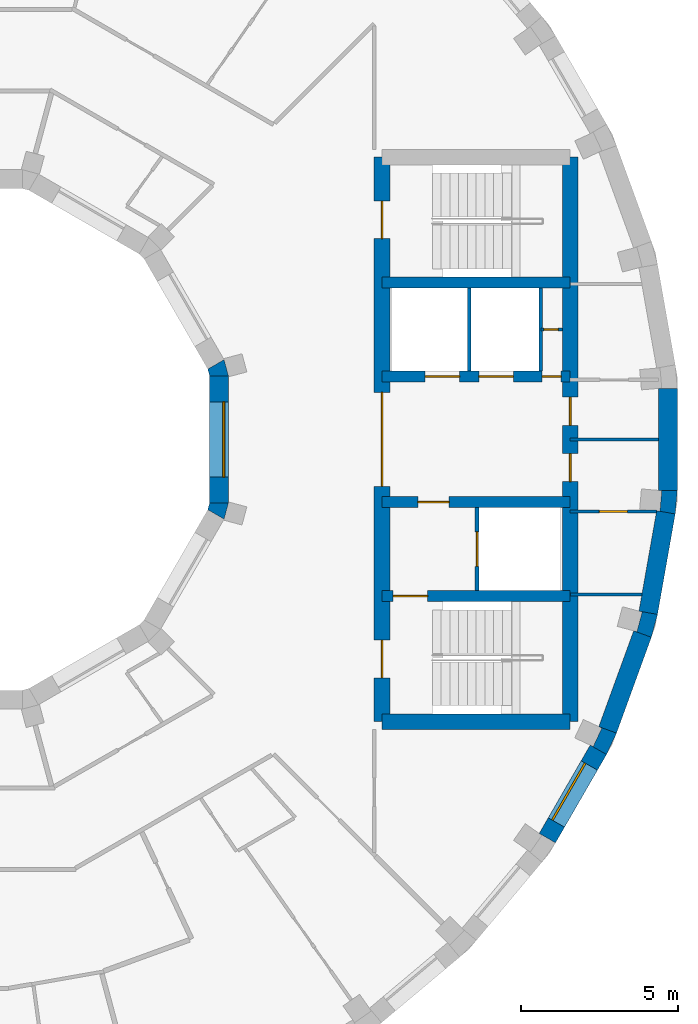
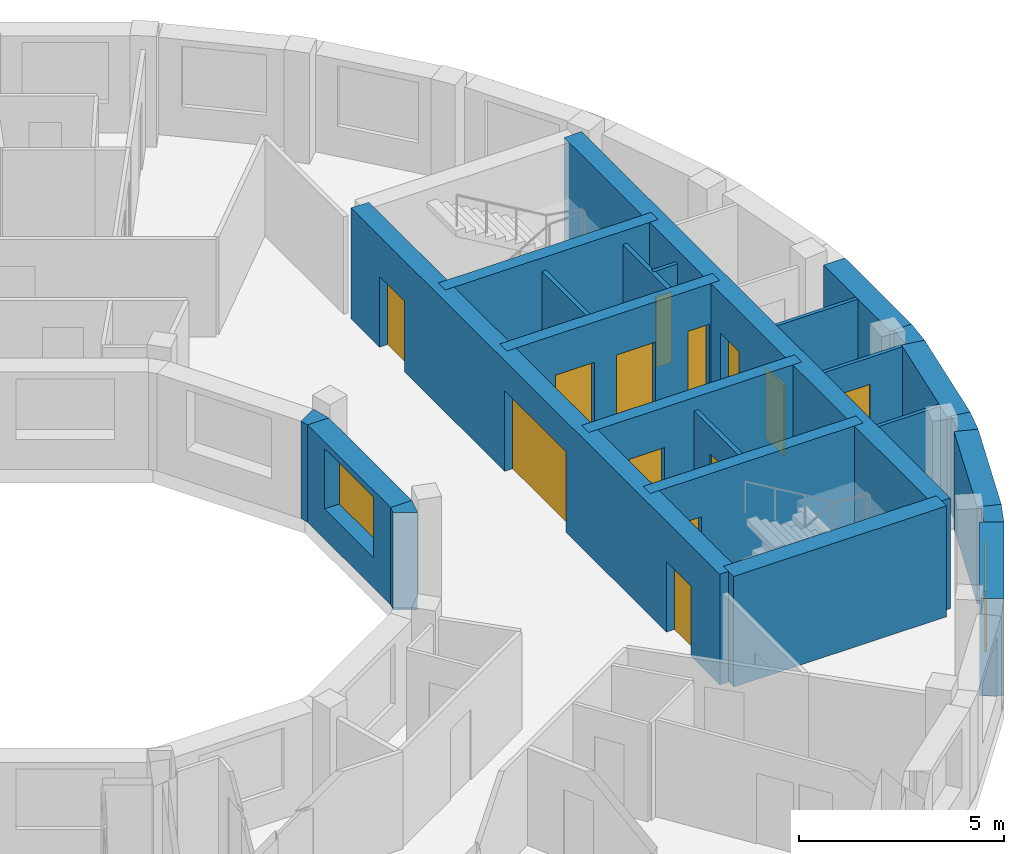
# One storey, part 6 of 10: 24 walls, 13 doors, 2 windows, 15 openings.
"""IFC4 building model written with IfcOpenShell, lengths in metres."""

from ifc_helpers import new_model, si_unit, direction, frame, frame_2d, origin, place, context, subcontext, project, spatial, polyline, rectangle, outline, extrude, material, layer, layer_set, type_object, element, fill, save


model = new_model("IFC4")

# Units and contexts
model_context = context("Model", 3, precision=1e-05, world=origin(), true_north=direction((0.0, 1.0)))
body_context = subcontext(model_context, "Body", "Model", "MODEL_VIEW")
ifc_project = project(units=[si_unit("LENGTHUNIT", "METRE"), si_unit("AREAUNIT", "SQUARE_METRE"), si_unit("VOLUMEUNIT", "CUBIC_METRE"), si_unit("PLANEANGLEUNIT", "RADIAN"), si_unit("MASSUNIT", "GRAM", prefix="KILO")], contexts=[model_context])

# Site, building, storey
site_placement = place(None, origin())
site = spatial("IfcSite", under=ifc_project, at=site_placement, CompositionType="ELEMENT")
building_placement = place(site_placement, origin())
building = spatial("IfcBuilding", under=site, at=building_placement, Name="Saqina Gate Tower", CompositionType="ELEMENT")
storey_placement = place(building_placement, frame((0.0, 0.0, 252.800048828125)))
storey = spatial("IfcBuildingStorey", under=building, at=storey_placement, Name="L72", CompositionType="ELEMENT", Elevation=252.800048828125)

# Walls
ifc_material_1 = material(Name="Brick masonry (buff)", Category="masonry")
wall_type_1 = type_object("IfcWallType", Name="BRICK PIER COPING BUFF", PredefinedType="SOLIDWALL", material=ifc_material_1)
wall_1_placement = place(storey_placement, origin())
element("IfcWall", 1, at=wall_1_placement, inside=storey, type_object=wall_type_1, Name="Pier cap L72 column 34", PredefinedType="SOLIDWALL", context=body_context, shape_type="SweptSolid", body=[
    extrude(outline(polyline([(20.65576171875, -10.048095703125), (20.974609375, -9.3642578125), (20.410888671875, -9.1591796875), (20.506591796875, -9.203857421875), (20.23193359375, -9.79296875), (20.135986328125, -9.748291015625), (20.65576171875, -10.048095703125)])), origin(), (0.0, 0.0, 1.0), 2.89990234375),
])
wall_2_placement = place(storey_placement, origin())
element("IfcWall", 2, at=wall_2_placement, inside=storey, type_object=wall_type_1, Name="Pier cap L72 column 35", PredefinedType="SOLIDWALL", context=body_context, shape_type="SweptSolid", body=[
    extrude(outline(polyline([(22.281982421875, -5.579833984375), (21.691162109375, -5.4755859375), (21.793212890625, -5.5029296875), (21.625, -6.130859375), (21.52294921875, -6.103515625), (22.0869140625, -6.30859375), (22.281982421875, -5.579833984375)])), origin(), (0.0, 0.0, 1.0), 2.89990234375),
])
wall_3_placement = place(storey_placement, origin())
element("IfcWall", 3, at=wall_3_placement, inside=storey, type_object=wall_type_1, Name="Pier cap L72 column 36", PredefinedType="SOLIDWALL", context=body_context, shape_type="SweptSolid", body=[
    extrude(outline(polyline([(22.8466796875, -2.377685546875), (22.91259765625, -1.625732421875), (22.3125, -1.625732421875), (22.417724609375, -1.635009765625), (22.361083984375, -2.28271484375), (22.255859375, -2.2734375), (22.8466796875, -2.377685546875)])), origin(), (0.0, 0.0, 1.0), 2.89990234375),
])

# Wall, opening, door
ifc_material_2 = material(Name="Gypsum board on steel studs", Category="steel")
ifc_layer_1 = layer(ifc_material_2, 0.10009765625)
ifc_layer_set_1 = layer_set([ifc_layer_1], Name="CORE PARTITION")
wall_type_2 = type_object("IfcWallType", Name="CORE PARTITION", PredefinedType="PARTITIONING", material=ifc_layer_set_1)
wall_4_placement = place(storey_placement, frame((18.56005859375, 3.5, 0.0), z_axis=(0.0, 0.0, 1.0), x_axis=(1.0, 0.0, 0.0)))
wall_4 = element("IfcWall", 4, at=wall_4_placement, inside=storey, type_object=wall_type_2, Name="L72-CP-E01", PredefinedType="PARTITIONING", context=body_context, shape_type="SweptSolid", body=[
    extrude(rectangle(XDim=0.68994140625, YDim=0.10009765625, at=frame_2d((0.344970703125, 0.0))), origin(), (0.0, 0.0, 1.0), 2.89990234375),
])
opening_1_placement = place(wall_4_placement, frame((0.10009765625, 0.0, 0.0)))
opening_1 = element("IfcOpeningElement", 5, at=opening_1_placement, cuts=wall_4, Name="Opening G21-D96", PredefinedType="OPENING", context=body_context, shape_type="SweptSolid", body=[
    extrude(rectangle(XDim=0.449951171875, YDim=2.10009765625, at=frame_2d((0.22509765625, 1.050048828125))), frame((0.0, 0.06201171875, 0.0), z_axis=(0.0, -1.0, 0.0), x_axis=(1.0, 0.0, 0.0)), (0.0, 0.0, 1.0), 0.1240234375),
])
ifc_material_3 = material(Name="Steel-framed fire door leaf, EI 60", Category="steel")
door_type_1 = type_object("IfcDoorType", Name="SERVICE ROOM DOOR 450", OperationType="SINGLE_SWING_LEFT", PredefinedType="DOOR", material=ifc_material_3)
door_1_placement = place(opening_1_placement, origin())
door_1 = element("IfcDoor", 6, at=door_1_placement, inside=storey, type_object=door_type_1, Name="L72-CD-E07", OperationType="SINGLE_SWING_RIGHT", OverallHeight=2.10009765625, OverallWidth=0.449951171875, PredefinedType="DOOR", context=body_context, shape_type="SweptSolid", body=[
    extrude(rectangle(XDim=0.449951171875, YDim=2.10009765625, at=frame_2d((0.22509765625, 1.050048828125))), frame((0.0, 0.02490234375, 0.0), z_axis=(0.0, -1.0, 0.0), x_axis=(1.0, 0.0, 0.0)), (0.0, 0.0, 1.0), 0.050048828125),
])
fill(opening_1, door_1)

# Wall
wall_5_placement = place(storey_placement, frame((19.5, -4.949951171875, 0.0), z_axis=(0.0, 0.0, 1.0), x_axis=(1.0, 0.0, 0.0)))
element("IfcWall", 7, at=wall_5_placement, inside=storey, type_object=wall_type_2, Name="L72-CP-E04", PredefinedType="PARTITIONING", context=body_context, shape_type="SweptSolid", body=[
    extrude(rectangle(XDim=2.283935546875, YDim=0.10009765625, at=frame_2d((1.14208984375, 0.0))), origin(), (0.0, 0.0, 1.0), 2.89990234375),
])

# Wall, opening, door
wall_6_placement = place(storey_placement, frame((19.5, -2.300048828125, 0.0), z_axis=(0.0, 0.0, 1.0), x_axis=(1.0, 0.0, 0.0)))
wall_6 = element("IfcWall", 8, at=wall_6_placement, inside=storey, type_object=wall_type_2, Name="L72-CP-E05", PredefinedType="PARTITIONING", context=body_context, shape_type="SweptSolid", body=[
    extrude(rectangle(XDim=2.751220703125, YDim=0.10009765625, at=frame_2d((1.37548828125, 0.0))), origin(), (0.0, 0.0, 1.0), 2.89990234375),
])
opening_2_placement = place(wall_6_placement, frame((0.925537109375, 0.0, 0.0)))
opening_2 = element("IfcOpeningElement", 9, at=opening_2_placement, cuts=wall_6, Name="Opening G21-D94", PredefinedType="OPENING", context=body_context, shape_type="SweptSolid", body=[
    extrude(rectangle(XDim=0.89990234375, YDim=2.10009765625, at=frame_2d((0.449951171875, 1.050048828125))), frame((0.0, 0.06201171875, 0.0), z_axis=(0.0, -1.0, 0.0), x_axis=(1.0, 0.0, 0.0)), (0.0, 0.0, 1.0), 0.1240234375),
])
ifc_material_4 = material(Name="Steel-framed fire door leaf, EI 60", Category="steel")
door_type_2 = type_object("IfcDoorType", Name="SERVICE ROOM DOOR 900", OperationType="SINGLE_SWING_LEFT", PredefinedType="DOOR", material=ifc_material_4)
door_2_placement = place(opening_2_placement, frame((0.89990234375, 0.0, 0.0), z_axis=(0.0, 0.0, 1.0), x_axis=(-1.0, 0.0, 0.0)))
door_2 = element("IfcDoor", 10, at=door_2_placement, inside=storey, type_object=door_type_2, Name="L72-CD-E05", OperationType="SINGLE_SWING_RIGHT", OverallHeight=2.10009765625, OverallWidth=0.89990234375, PredefinedType="DOOR", context=body_context, shape_type="SweptSolid", body=[
    extrude(rectangle(XDim=0.89990234375, YDim=2.10009765625, at=frame_2d((0.449951171875, 1.050048828125))), frame((0.0, 0.02490234375, 0.0), z_axis=(0.0, -1.0, 0.0), x_axis=(1.0, 0.0, 0.0)), (0.0, 0.0, 1.0), 0.050048828125),
])
fill(opening_2, door_2)

# Wall
wall_7_placement = place(storey_placement, frame((19.5, 0.0, 0.0), z_axis=(0.0, 0.0, 1.0), x_axis=(1.0, 0.0, 0.0)))
element("IfcWall", 11, at=wall_7_placement, inside=storey, type_object=wall_type_2, Name="L72-CP-E06", PredefinedType="PARTITIONING", context=body_context, shape_type="SweptSolid", body=[
    extrude(rectangle(XDim=2.8125, YDim=0.10009765625, at=frame_2d((1.40625, 0.0))), origin(), (0.0, 0.0, 1.0), 2.89990234375),
])

# Wall, opening, window
ifc_material_5 = material(Name="Brick masonry (buff)", Category="masonry")
ifc_layer_2 = layer(ifc_material_5, 0.60009765625)
ifc_layer_set_2 = layer_set([ifc_layer_2], Name="FW-BRICK-BUFF")
wall_type_3 = type_object("IfcWallType", Name="FW-BRICK-BUFF", PredefinedType="SOLIDWALL", material=ifc_layer_set_2)
wall_8_placement = place(storey_placement, frame((18.77001953125, -12.71435546875, 0.0), z_axis=(0.0, 0.0, 1.0), x_axis=(0.500014901547, 0.866016800201, 0.0)))
wall_8 = element("IfcWall", 12, at=wall_8_placement, inside=storey, type_object=wall_type_3, Name="Facade wall L72 facet 33", PredefinedType="SOLIDWALL", context=body_context, shape_type="SweptSolid", body=[
    extrude(rectangle(XDim=3.251953125, YDim=0.60009765625, at=frame_2d((1.6259765625, 0.0))), origin(), (0.0, 0.0, 1.0), 2.89990234375),
])
opening_3_placement = place(wall_8_placement, frame((0.57568359375, 0.0, 0.89990234375)))
opening_3 = element("IfcOpeningElement", 13, at=opening_3_placement, cuts=wall_8, Name="Opening G21-W24", PredefinedType="OPENING", context=body_context, shape_type="SweptSolid", body=[
    extrude(rectangle(XDim=2.10009765625, YDim=1.800048828125, at=frame_2d((1.050048828125, 0.89990234375))), frame((0.0, 0.31201171875, 0.0), z_axis=(0.0, -1.0, 0.0), x_axis=(1.0, 0.0, 0.0)), (0.0, 0.0, 1.0), 0.6240234375),
])
ifc_material_6 = material(Name="Aluminium glazing", Category="aluminium")
window_type_1 = type_object("IfcWindowType", Name="WN-D", PartitioningType="SINGLE_PANEL", PredefinedType="WINDOW", material=ifc_material_6)
window_1_placement = place(opening_3_placement, origin())
window_1 = element("IfcWindow", 14, at=window_1_placement, inside=storey, type_object=window_type_1, Name="Window L72 facet 33", OverallHeight=1.800048828125, OverallWidth=2.10009765625, PartitioningType="SINGLE_PANEL", PredefinedType="WINDOW", context=body_context, shape_type="SweptSolid", body=[
    extrude(rectangle(XDim=2.10009765625, YDim=1.800048828125, at=frame_2d((1.050048828125, 0.89990234375))), frame((0.0, 0.179931640625, 0.0), z_axis=(0.0, -1.0, 0.0), x_axis=(1.0, 0.0, 0.0)), (0.0, 0.0, 1.0), 0.06005859375),
])
fill(opening_3, window_1)

# Walls
ifc_material_7 = material(Name="Glazed ceramic tile", Category="ceramic")
ifc_layer_3 = layer(ifc_material_7, 0.60009765625)
ifc_layer_set_3 = layer_set([ifc_layer_3], Name="FW-TILE")
wall_type_4 = type_object("IfcWallType", Name="FW-TILE", PredefinedType="SOLIDWALL", material=ifc_layer_set_3)
wall_9_placement = place(storey_placement, frame((21.986572265625, -5.52783203125, 0.0), z_axis=(0.0, 0.0, 1.0), x_axis=(0.173656842178, 0.984806225186, 0.0)))
element("IfcWall", 15, at=wall_9_placement, inside=storey, type_object=wall_type_4, Name="Facade wall L72 facet 35", PredefinedType="SOLIDWALL", context=body_context, shape_type="SweptSolid", body=[
    extrude(rectangle(XDim=3.251708984375, YDim=0.60009765625, at=frame_2d((1.6259765625, 0.0))), origin(), (0.0, 0.0, 1.0), 2.89990234375),
])
ifc_material_8 = material(Name="Glazed ceramic tile (dark blue)", Category="ceramic")
ifc_layer_4 = layer(ifc_material_8, 0.60009765625)
ifc_layer_set_4 = layer_set([ifc_layer_4], Name="FW-TILE-CB")
wall_type_5 = type_object("IfcWallType", Name="FW-TILE-CB", PredefinedType="SOLIDWALL", material=ifc_layer_set_4)
wall_10_placement = place(storey_placement, frame((20.692626953125, -9.26171875, 0.0), z_axis=(0.0, 0.0, 1.0), x_axis=(0.342056509473, 0.939679383794, 0.0)))
element("IfcWall", 16, at=wall_10_placement, inside=storey, type_object=wall_type_5, Name="Facade wall L72 facet 34", PredefinedType="SOLIDWALL", context=body_context, shape_type="SweptSolid", body=[
    extrude(rectangle(XDim=3.251708984375, YDim=0.60009765625, at=frame_2d((1.6259765625, 0.0))), origin(), (0.0, 0.0, 1.0), 2.89990234375),
])
ifc_material_9 = material(Name="Glazed ceramic tile (white)", Category="ceramic")
ifc_layer_5 = layer(ifc_material_9, 0.60009765625)
ifc_layer_set_5 = layer_set([ifc_layer_5], Name="FW-TILE-WH")
wall_type_6 = type_object("IfcWallType", Name="FW-TILE-WH", PredefinedType="SOLIDWALL", material=ifc_layer_set_5)
wall_11_placement = place(storey_placement, frame((22.612548828125, -1.625732421875, 0.0), z_axis=(0.0, 0.0, 1.0), x_axis=(0.0, 1.0, 0.0)))
element("IfcWall", 17, at=wall_11_placement, inside=storey, type_object=wall_type_6, Name="Facade wall L72 facet 36", PredefinedType="SOLIDWALL", context=body_context, shape_type="SweptSolid", body=[
    extrude(rectangle(XDim=3.25146484375, YDim=0.60009765625, at=frame_2d((1.625732421875, 0.0))), origin(), (0.0, 0.0, 1.0), 2.89990234375),
])

# Wall, opening, window
ifc_material_10 = material(Name="Glazed ceramic tile", Category="ceramic")
ifc_layer_6 = layer(ifc_material_10, 0.60009765625)
ifc_layer_set_6 = layer_set([ifc_layer_6], Name="IW-TILE")
wall_type_7 = type_object("IfcWallType", Name="IW-TILE", PredefinedType="SOLIDWALL", material=ifc_layer_set_6)
wall_12_placement = place(storey_placement, frame((8.300048828125, -2.029296875, 0.0), z_axis=(0.0, 0.0, 1.0), x_axis=(0.0, 1.0, 0.0)))
wall_12 = element("IfcWall", 18, at=wall_12_placement, inside=storey, type_object=wall_type_7, Name="Well wall L72 facet 12", PredefinedType="SOLIDWALL", context=body_context, shape_type="SweptSolid", body=[
    extrude(rectangle(XDim=4.05859375, YDim=0.60009765625, at=frame_2d((2.029296875, 0.0))), origin(), (0.0, 0.0, 1.0), 2.89990234375),
])
opening_4_placement = place(wall_12_placement, frame((0.829345703125, 0.0, 0.89990234375)))
opening_4 = element("IfcOpeningElement", 19, at=opening_4_placement, cuts=wall_12, Name="Opening G21-W36", PredefinedType="OPENING", context=body_context, shape_type="SweptSolid", body=[
    extrude(rectangle(XDim=2.39990234375, YDim=1.800048828125, at=frame_2d((1.199951171875, 0.89990234375))), frame((0.0, 0.31201171875, 0.0), z_axis=(0.0, -1.0, 0.0), x_axis=(1.0, 0.0, 0.0)), (0.0, 0.0, 1.0), 0.6240234375),
])
ifc_material_11 = material(Name="Aluminium glazing", Category="aluminium")
window_type_2 = type_object("IfcWindowType", Name="WN-W", PartitioningType="SINGLE_PANEL", PredefinedType="WINDOW", material=ifc_material_11)
window_2_placement = place(opening_4_placement, origin())
window_2 = element("IfcWindow", 20, at=window_2_placement, inside=storey, type_object=window_type_2, Name="Well window L72 facet 12", OverallHeight=1.800048828125, OverallWidth=2.39990234375, PartitioningType="SINGLE_PANEL", PredefinedType="WINDOW", context=body_context, shape_type="SweptSolid", body=[
    extrude(rectangle(XDim=2.39990234375, YDim=1.800048828125, at=frame_2d((1.199951171875, 0.89990234375))), frame((0.0, -0.119873046875, 0.0), z_axis=(0.0, -1.0, 0.0), x_axis=(1.0, 0.0, 0.0)), (0.0, 0.0, 1.0), 0.06005859375),
])
fill(opening_4, window_2)

# Walls
ifc_material_12 = material(Name="Autoclaved aerated concrete block", Category="concrete")
ifc_layer_7 = layer(ifc_material_12, 0.1201171875)
ifc_layer_set_7 = layer_set([ifc_layer_7], Name="SHAFT PARTITION")
wall_type_8 = type_object("IfcWallType", Name="SHAFT PARTITION", PredefinedType="PARTITIONING", material=ifc_layer_set_7)
for number, where, z_axis, x_axis, name in (
    (21, (16.280029296875, 2.175048828125, 0.0), (0.0, 0.0, 1.0), (0.0, 1.0, 0.0), "L72-CP-E07"),
    (22, (18.56005859375, 2.175048828125, 0.0), (0.0, 0.0, 1.0), (0.0, 1.0, 0.0), "L72-CP-E08"),
):
    element("IfcWall", number, at=place(storey_placement, frame(where, z_axis=z_axis, x_axis=x_axis)), inside=storey, type_object=wall_type_8, Name=name, PredefinedType="PARTITIONING", context=body_context, shape_type="SweptSolid", body=[
        extrude(rectangle(XDim=2.64990234375, YDim=0.1201171875, at=frame_2d((1.324951171875, 0.0))), origin(), (0.0, 0.0, 1.0), 2.89990234375),
    ])

# Wall, opening, door
wall_13_placement = place(storey_placement, frame((16.530029296875, -4.824951171875, 0.0), z_axis=(0.0, 0.0, 1.0), x_axis=(0.0, 1.0, 0.0)))
wall_13 = element("IfcWall", 23, at=wall_13_placement, inside=storey, type_object=wall_type_8, Name="L72-CP-E09", PredefinedType="PARTITIONING", context=body_context, shape_type="SweptSolid", body=[
    extrude(rectangle(XDim=2.64990234375, YDim=0.1201171875, at=frame_2d((1.324951171875, 0.0))), origin(), (0.0, 0.0, 1.0), 2.89990234375),
])
opening_5_placement = place(wall_13_placement, frame((0.77490234375, 0.0, 0.0)))
opening_5 = element("IfcOpeningElement", 24, at=opening_5_placement, cuts=wall_13, Name="Opening G21-LD3", PredefinedType="OPENING", context=body_context, shape_type="SweptSolid", body=[
    extrude(rectangle(XDim=1.10009765625, YDim=2.10009765625, at=frame_2d((0.550048828125, 1.050048828125))), frame((0.0, 0.072021484375, 0.0), z_axis=(0.0, -1.0, 0.0), x_axis=(1.0, 0.0, 0.0)), (0.0, 0.0, 1.0), 0.14404296875),
])
ifc_material_13 = material(Name="Stainless steel", Category="steel")
door_type_3 = type_object("IfcDoorType", Name="LANDING DOOR", OperationType="DOUBLE_DOOR_SLIDING", PredefinedType="DOOR", material=ifc_material_13)
door_3_placement = place(opening_5_placement, origin())
door_3 = element("IfcDoor", 25, at=door_3_placement, inside=storey, type_object=door_type_3, Name="LANDING DOOR FF1", OperationType="DOUBLE_DOOR_SLIDING", OverallHeight=2.10009765625, OverallWidth=1.10009765625, PredefinedType="DOOR", context=body_context, shape_type="SweptSolid", body=[
    extrude(rectangle(XDim=1.10009765625, YDim=2.10009765625, at=frame_2d((0.550048828125, 1.050048828125))), frame((0.0, 0.02490234375, 0.0), z_axis=(0.0, -1.0, 0.0), x_axis=(1.0, 0.0, 0.0)), (0.0, 0.0, 1.0), 0.050048828125),
])
fill(opening_5, door_3)

# Wall
ifc_material_14 = material(Name="Concrete C60/75", Category="concrete")
ifc_layer_8 = layer(ifc_material_14, 0.35009765625)
ifc_layer_set_8 = layer_set([ifc_layer_8], Name="Concrete C60/75")
wall_type_9 = type_object("IfcWallType", Name="STR-CORE WALL-D-I", PredefinedType="SHEAR", material=ifc_layer_set_8)
wall_14_placement = place(storey_placement, frame((13.5, 5.0, 0.0), z_axis=(0.0, 0.0, 1.0), x_axis=(1.0, 0.0, 0.0)))
element("IfcWall", 26, at=wall_14_placement, inside=storey, type_object=wall_type_9, Name="CORE WALL L72 E-X1", PredefinedType="SHEAR", context=body_context, shape_type="SweptSolid", body=[
    extrude(rectangle(XDim=6.0, YDim=0.35009765625, at=frame_2d((3.0, 0.0))), origin(), (0.0, 0.0, 1.0), 3.300048828125),
])

# Wall, opening, door
wall_15_placement = place(storey_placement, frame((13.5, -5.0, 0.0), z_axis=(0.0, 0.0, 1.0), x_axis=(1.0, 0.0, 0.0)))
wall_15 = element("IfcWall", 27, at=wall_15_placement, inside=storey, type_object=wall_type_9, Name="CORE WALL L72 E-X2", PredefinedType="SHEAR", context=body_context, shape_type="SweptSolid", body=[
    extrude(rectangle(XDim=6.0, YDim=0.35009765625, at=frame_2d((3.0, 0.0))), origin(), (0.0, 0.0, 1.0), 3.300048828125),
])
opening_6_placement = place(wall_15_placement, frame((0.35009765625, 0.0, 0.0)))
opening_6 = element("IfcOpeningElement", 28, at=opening_6_placement, cuts=wall_15, Name="Opening G21-D97", PredefinedType="OPENING", context=body_context, shape_type="SweptSolid", body=[
    extrude(rectangle(XDim=1.10009765625, YDim=2.10009765625, at=frame_2d((0.550048828125, 1.050048828125))), frame((0.0, 0.18701171875, 0.0), z_axis=(0.0, -1.0, 0.0), x_axis=(1.0, 0.0, 0.0)), (0.0, 0.0, 1.0), 0.3740234375),
])
ifc_material_15 = material(Name="Steel", Category="steel")
door_type_4 = type_object("IfcDoorType", Name="FIRE LOBBY DOOR EI 60 WIDE", OperationType="SINGLE_SWING_LEFT", PredefinedType="DOOR", material=ifc_material_15)
door_4_placement = place(opening_6_placement, frame((1.10009765625, 0.0, 0.0), z_axis=(0.0, 0.0, 1.0), x_axis=(-1.0, 0.0, 0.0)))
door_4 = element("IfcDoor", 29, at=door_4_placement, inside=storey, type_object=door_type_4, Name="L72-CD-E08", OperationType="SINGLE_SWING_RIGHT", OverallHeight=2.10009765625, OverallWidth=1.10009765625, PredefinedType="DOOR", context=body_context, shape_type="SweptSolid", body=[
    extrude(rectangle(XDim=1.10009765625, YDim=2.10009765625, at=frame_2d((0.550048828125, 1.050048828125))), frame((0.0, 0.02490234375, 0.0), z_axis=(0.0, -1.0, 0.0), x_axis=(1.0, 0.0, 0.0)), (0.0, 0.0, 1.0), 0.050048828125),
])
fill(opening_6, door_4)

# Wall, openings, doors
wall_16_placement = place(storey_placement, frame((13.5, 2.0, 0.0), z_axis=(0.0, 0.0, 1.0), x_axis=(1.0, 0.0, 0.0)))
wall_16 = element("IfcWall", 30, at=wall_16_placement, inside=storey, type_object=wall_type_9, Name="CORE WALL L72 E-L1", PredefinedType="SHEAR", context=body_context, shape_type="SweptSolid", body=[
    extrude(rectangle(XDim=6.0, YDim=0.35009765625, at=frame_2d((3.0, 0.0))), origin(), (0.0, 0.0, 1.0), 3.300048828125),
])
opening_7_placement = place(wall_16_placement, frame((1.3701171875, 0.0, 0.0)))
opening_7 = element("IfcOpeningElement", 31, at=opening_7_placement, cuts=wall_16, Name="Opening G21-LD1", PredefinedType="OPENING", context=body_context, shape_type="SweptSolid", body=[
    extrude(rectangle(XDim=1.10009765625, YDim=2.10009765625, at=frame_2d((0.550048828125, 1.050048828125))), frame((0.0, 0.18701171875, 0.0), z_axis=(0.0, -1.0, 0.0), x_axis=(1.0, 0.0, 0.0)), (0.0, 0.0, 1.0), 0.3740234375),
])
opening_8_placement = place(wall_16_placement, frame((3.090087890625, 0.0, 0.0)))
opening_8 = element("IfcOpeningElement", 32, at=opening_8_placement, cuts=wall_16, Name="Opening G21-LD2", PredefinedType="OPENING", context=body_context, shape_type="SweptSolid", body=[
    extrude(rectangle(XDim=1.10009765625, YDim=2.10009765625, at=frame_2d((0.550048828125, 1.050048828125))), frame((0.0, 0.18701171875, 0.0), z_axis=(0.0, -1.0, 0.0), x_axis=(1.0, 0.0, 0.0)), (0.0, 0.0, 1.0), 0.3740234375),
])
opening_9_placement = place(wall_16_placement, frame((5.10498046875, 0.0, 0.0)))
opening_9 = element("IfcOpeningElement", 33, at=opening_9_placement, cuts=wall_16, Name="Opening G21-D90", PredefinedType="OPENING", context=body_context, shape_type="SweptSolid", body=[
    extrude(rectangle(XDim=0.60009765625, YDim=2.10009765625, at=frame_2d((0.300048828125, 1.050048828125))), frame((0.0, 0.18701171875, 0.0), z_axis=(0.0, -1.0, 0.0), x_axis=(1.0, 0.0, 0.0)), (0.0, 0.0, 1.0), 0.3740234375),
])
door_5_placement = place(opening_7_placement, origin())
door_5 = element("IfcDoor", 34, at=door_5_placement, inside=storey, type_object=door_type_3, Name="LANDING DOOR HR1", OperationType="DOUBLE_DOOR_SLIDING", OverallHeight=2.10009765625, OverallWidth=1.10009765625, PredefinedType="DOOR", context=body_context, shape_type="SweptSolid", body=[
    extrude(rectangle(XDim=1.10009765625, YDim=2.10009765625, at=frame_2d((0.550048828125, 1.050048828125))), frame((0.0, 0.02490234375, 0.0), z_axis=(0.0, -1.0, 0.0), x_axis=(1.0, 0.0, 0.0)), (0.0, 0.0, 1.0), 0.050048828125),
])
fill(opening_7, door_5)
door_6_placement = place(opening_8_placement, origin())
door_6 = element("IfcDoor", 35, at=door_6_placement, inside=storey, type_object=door_type_3, Name="LANDING DOOR HR2", OperationType="DOUBLE_DOOR_SLIDING", OverallHeight=2.10009765625, OverallWidth=1.10009765625, PredefinedType="DOOR", context=body_context, shape_type="SweptSolid", body=[
    extrude(rectangle(XDim=1.10009765625, YDim=2.10009765625, at=frame_2d((0.550048828125, 1.050048828125))), frame((0.0, 0.02490234375, 0.0), z_axis=(0.0, -1.0, 0.0), x_axis=(1.0, 0.0, 0.0)), (0.0, 0.0, 1.0), 0.050048828125),
])
fill(opening_8, door_6)
ifc_material_16 = material(Name="Steel-framed fire door leaf, EI 60", Category="steel")
door_type_5 = type_object("IfcDoorType", Name="SERVICE ROOM DOOR 600", OperationType="SINGLE_SWING_LEFT", PredefinedType="DOOR", material=ifc_material_16)
door_7_placement = place(opening_9_placement, origin())
door_7 = element("IfcDoor", 36, at=door_7_placement, inside=storey, type_object=door_type_5, Name="L72-CD-E01", OperationType="SINGLE_SWING_RIGHT", OverallHeight=2.10009765625, OverallWidth=0.60009765625, PredefinedType="DOOR", context=body_context, shape_type="SweptSolid", body=[
    extrude(rectangle(XDim=0.60009765625, YDim=2.10009765625, at=frame_2d((0.300048828125, 1.050048828125))), frame((0.0, 0.02490234375, 0.0), z_axis=(0.0, -1.0, 0.0), x_axis=(1.0, 0.0, 0.0)), (0.0, 0.0, 1.0), 0.050048828125),
])
fill(opening_9, door_7)

# Wall, opening, door
wall_17_placement = place(storey_placement, frame((13.5, -2.0, 0.0), z_axis=(0.0, 0.0, 1.0), x_axis=(1.0, 0.0, 0.0)))
wall_17 = element("IfcWall", 37, at=wall_17_placement, inside=storey, type_object=wall_type_9, Name="CORE WALL L72 E-L2", PredefinedType="SHEAR", context=body_context, shape_type="SweptSolid", body=[
    extrude(rectangle(XDim=6.0, YDim=0.35009765625, at=frame_2d((3.0, 0.0))), origin(), (0.0, 0.0, 1.0), 3.300048828125),
])
opening_10_placement = place(wall_17_placement, frame((1.139892578125, 0.0, 0.0)))
opening_10 = element("IfcOpeningElement", 38, at=opening_10_placement, cuts=wall_17, Name="Opening G21-D91", PredefinedType="OPENING", context=body_context, shape_type="SweptSolid", body=[
    extrude(rectangle(XDim=1.0, YDim=2.10009765625, at=frame_2d((0.5, 1.050048828125))), frame((0.0, 0.18701171875, 0.0), z_axis=(0.0, -1.0, 0.0), x_axis=(1.0, 0.0, 0.0)), (0.0, 0.0, 1.0), 0.3740234375),
])
ifc_material_17 = material(Name="Steel", Category="steel")
door_type_6 = type_object("IfcDoorType", Name="FIRE LOBBY DOOR EI 60", OperationType="SINGLE_SWING_LEFT", PredefinedType="DOOR", material=ifc_material_17)
door_8_placement = place(opening_10_placement, origin())
door_8 = element("IfcDoor", 39, at=door_8_placement, inside=storey, type_object=door_type_6, Name="L72-CD-E02", OperationType="SINGLE_SWING_LEFT", OverallHeight=2.10009765625, OverallWidth=1.0, PredefinedType="DOOR", context=body_context, shape_type="SweptSolid", body=[
    extrude(rectangle(XDim=1.0, YDim=2.10009765625, at=frame_2d((0.5, 1.050048828125))), frame((0.0, 0.02490234375, 0.0), z_axis=(0.0, -1.0, 0.0), x_axis=(1.0, 0.0, 0.0)), (0.0, 0.0, 1.0), 0.050048828125),
])
fill(opening_10, door_8)

# Wall, openings, doors
ifc_material_18 = material(Name="Concrete C60/75", Category="concrete")
ifc_layer_9 = layer(ifc_material_18, 0.5)
ifc_layer_set_9 = layer_set([ifc_layer_9], Name="Concrete C60/75")
wall_type_10 = type_object("IfcWallType", Name="STR-CORE WALL-D-O", PredefinedType="SHEAR", material=ifc_layer_set_9)
wall_18_placement = place(storey_placement, frame((13.5, -9.0, 0.0), z_axis=(0.0, 0.0, 1.0), x_axis=(0.0, 1.0, 0.0)))
wall_18 = element("IfcWall", 40, at=wall_18_placement, inside=storey, type_object=wall_type_10, Name="CORE WALL L72 E-W1", PredefinedType="SHEAR", context=body_context, shape_type="SweptSolid", body=[
    extrude(rectangle(XDim=18.0, YDim=0.5, at=frame_2d((9.0, 0.0))), origin(), (0.0, 0.0, 1.0), 3.300048828125),
])
opening_11_placement = place(wall_18_placement, frame((15.39990234375, 0.0, 0.0)))
opening_11 = element("IfcOpeningElement", 41, at=opening_11_placement, cuts=wall_18, Name="Opening G21-D98", PredefinedType="OPENING", context=body_context, shape_type="SweptSolid", body=[
    extrude(rectangle(XDim=1.199951171875, YDim=2.10009765625, at=frame_2d((0.60009765625, 1.050048828125))), frame((0.0, 0.261962890625, 0.0), z_axis=(0.0, -1.0, 0.0), x_axis=(1.0, 0.0, 0.0)), (0.0, 0.0, 1.0), 0.52392578125),
])
opening_12_placement = place(wall_18_placement, frame((1.39990234375, 0.0, 0.0)))
opening_12 = element("IfcOpeningElement", 42, at=opening_12_placement, cuts=wall_18, Name="Opening G21-D99", PredefinedType="OPENING", context=body_context, shape_type="SweptSolid", body=[
    extrude(rectangle(XDim=1.199951171875, YDim=2.10009765625, at=frame_2d((0.60009765625, 1.050048828125))), frame((0.0, 0.261962890625, 0.0), z_axis=(0.0, -1.0, 0.0), x_axis=(1.0, 0.0, 0.0)), (0.0, 0.0, 1.0), 0.52392578125),
])
opening_13_placement = place(wall_18_placement, frame((7.5, 0.0, 0.0)))
opening_13 = element("IfcOpeningElement", 43, at=opening_13_placement, cuts=wall_18, Name="Opening G21-D100", PredefinedType="OPENING", context=body_context, shape_type="SweptSolid", body=[
    extrude(rectangle(XDim=3.0, YDim=2.39990234375, at=frame_2d((1.5, 1.199951171875))), frame((0.0, 0.261962890625, 0.0), z_axis=(0.0, -1.0, 0.0), x_axis=(1.0, 0.0, 0.0)), (0.0, 0.0, 1.0), 0.52392578125),
])
ifc_material_19 = material(Name="Steel", Category="steel")
door_type_7 = type_object("IfcDoorType", Name="FIRE DOOR EI 60", OperationType="SINGLE_SWING_LEFT", PredefinedType="DOOR", material=ifc_material_19)
door_9_placement = place(opening_11_placement, frame((1.199951171875, 0.0, 0.0), z_axis=(0.0, 0.0, 1.0), x_axis=(-1.0, 0.0, 0.0)))
door_9 = element("IfcDoor", 44, at=door_9_placement, inside=storey, type_object=door_type_7, Name="L72-CD-E09", OperationType="SINGLE_SWING_LEFT", OverallHeight=2.10009765625, OverallWidth=1.199951171875, PredefinedType="DOOR", context=body_context, shape_type="SweptSolid", body=[
    extrude(rectangle(XDim=1.199951171875, YDim=2.10009765625, at=frame_2d((0.60009765625, 1.050048828125))), frame((0.0, 0.02490234375, 0.0), z_axis=(0.0, -1.0, 0.0), x_axis=(1.0, 0.0, 0.0)), (0.0, 0.0, 1.0), 0.050048828125),
])
fill(opening_11, door_9)
door_10_placement = place(opening_12_placement, frame((1.199951171875, 0.0, 0.0), z_axis=(0.0, 0.0, 1.0), x_axis=(-1.0, 0.0, 0.0)))
door_10 = element("IfcDoor", 45, at=door_10_placement, inside=storey, type_object=door_type_7, Name="L72-CD-E10", OperationType="SINGLE_SWING_RIGHT", OverallHeight=2.10009765625, OverallWidth=1.199951171875, PredefinedType="DOOR", context=body_context, shape_type="SweptSolid", body=[
    extrude(rectangle(XDim=1.199951171875, YDim=2.10009765625, at=frame_2d((0.60009765625, 1.050048828125))), frame((0.0, 0.02490234375, 0.0), z_axis=(0.0, -1.0, 0.0), x_axis=(1.0, 0.0, 0.0)), (0.0, 0.0, 1.0), 0.050048828125),
])
fill(opening_12, door_10)
ifc_material_20 = material(Name="Steel and fire-resisting glass", Category="steel")
door_type_8 = type_object("IfcDoorType", Name="LOBBY SCREEN DOOR", OperationType="DOUBLE_DOOR_SLIDING", PredefinedType="DOOR", material=ifc_material_20)
door_11_placement = place(opening_13_placement, origin())
door_11 = element("IfcDoor", 46, at=door_11_placement, inside=storey, type_object=door_type_8, Name="L72-CD-E11", OperationType="DOUBLE_DOOR_SLIDING", OverallHeight=2.39990234375, OverallWidth=3.0, PredefinedType="DOOR", context=body_context, shape_type="SweptSolid", body=[
    extrude(rectangle(XDim=3.0, YDim=2.39990234375, at=frame_2d((1.5, 1.199951171875))), frame((0.0, 0.02490234375, 0.0), z_axis=(0.0, -1.0, 0.0), x_axis=(1.0, 0.0, 0.0)), (0.0, 0.0, 1.0), 0.050048828125),
])
fill(opening_13, door_11)

wall_19_placement = place(storey_placement, frame((19.5, -9.0, 0.0), z_axis=(0.0, 0.0, 1.0), x_axis=(0.0, 1.0, 0.0)))
wall_19 = element("IfcWall", 47, at=wall_19_placement, inside=storey, type_object=wall_type_10, Name="CORE WALL L72 E-W2", PredefinedType="SHEAR", context=body_context, shape_type="SweptSolid", body=[
    extrude(rectangle(XDim=18.0, YDim=0.5, at=frame_2d((9.0, 0.0))), origin(), (0.0, 0.0, 1.0), 3.300048828125),
])
opening_14_placement = place(wall_19_placement, frame((9.449951171875, 0.0, 0.0)))
opening_14 = element("IfcOpeningElement", 48, at=opening_14_placement, cuts=wall_19, Name="Opening G21-D93", PredefinedType="OPENING", context=body_context, shape_type="SweptSolid", body=[
    extrude(rectangle(XDim=0.89990234375, YDim=2.10009765625, at=frame_2d((0.449951171875, 1.050048828125))), frame((0.0, 0.261962890625, 0.0), z_axis=(0.0, -1.0, 0.0), x_axis=(1.0, 0.0, 0.0)), (0.0, 0.0, 1.0), 0.52392578125),
])
opening_15_placement = place(wall_19_placement, frame((7.64990234375, 0.0, 0.0)))
opening_15 = element("IfcOpeningElement", 49, at=opening_15_placement, cuts=wall_19, Name="Opening G21-D95", PredefinedType="OPENING", context=body_context, shape_type="SweptSolid", body=[
    extrude(rectangle(XDim=0.89990234375, YDim=2.10009765625, at=frame_2d((0.449951171875, 1.050048828125))), frame((0.0, 0.261962890625, 0.0), z_axis=(0.0, -1.0, 0.0), x_axis=(1.0, 0.0, 0.0)), (0.0, 0.0, 1.0), 0.52392578125),
])
door_12_placement = place(opening_14_placement, frame((0.89990234375, 0.0, 0.0), z_axis=(0.0, 0.0, 1.0), x_axis=(-1.0, 0.0, 0.0)))
door_12 = element("IfcDoor", 50, at=door_12_placement, inside=storey, type_object=door_type_2, Name="L72-CD-E04", OperationType="SINGLE_SWING_LEFT", OverallHeight=2.10009765625, OverallWidth=0.89990234375, PredefinedType="DOOR", context=body_context, shape_type="SweptSolid", body=[
    extrude(rectangle(XDim=0.89990234375, YDim=2.10009765625, at=frame_2d((0.449951171875, 1.050048828125))), frame((0.0, 0.02490234375, 0.0), z_axis=(0.0, -1.0, 0.0), x_axis=(1.0, 0.0, 0.0)), (0.0, 0.0, 1.0), 0.050048828125),
])
fill(opening_14, door_12)
door_13_placement = place(opening_15_placement, frame((0.89990234375, 0.0, 0.0), z_axis=(0.0, 0.0, 1.0), x_axis=(-1.0, 0.0, 0.0)))
door_13 = element("IfcDoor", 51, at=door_13_placement, inside=storey, type_object=door_type_2, Name="L72-CD-E06", OperationType="SINGLE_SWING_LEFT", OverallHeight=2.10009765625, OverallWidth=0.89990234375, PredefinedType="DOOR", context=body_context, shape_type="SweptSolid", body=[
    extrude(rectangle(XDim=0.89990234375, YDim=2.10009765625, at=frame_2d((0.449951171875, 1.050048828125))), frame((0.0, 0.02490234375, 0.0), z_axis=(0.0, -1.0, 0.0), x_axis=(1.0, 0.0, 0.0)), (0.0, 0.0, 1.0), 0.050048828125),
])
fill(opening_15, door_13)

# Walls
wall_20_placement = place(storey_placement, frame((13.5, -9.0, 0.0), z_axis=(0.0, 0.0, 1.0), x_axis=(1.0, 0.0, 0.0)))
element("IfcWall", 52, at=wall_20_placement, inside=storey, type_object=wall_type_10, Name="CORE WALL L72 E-SE", PredefinedType="SHEAR", context=body_context, shape_type="SweptSolid", body=[
    extrude(rectangle(XDim=6.0, YDim=0.5, at=frame_2d((3.0, 0.0))), origin(), (0.0, 0.0, 1.0), 3.300048828125),
])
ifc_material_21 = material(Name="Glazed ceramic tile", Category="ceramic")
wall_type_11 = type_object("IfcWallType", Name="TILE PIER COPING", PredefinedType="SOLIDWALL", material=ifc_material_21)
wall_21_placement = place(storey_placement, origin())
element("IfcWall", 53, at=wall_21_placement, inside=storey, type_object=wall_type_11, Name="Well pier cap L72 column 1", PredefinedType="SOLIDWALL", context=body_context, shape_type="SweptSolid", body=[
    extrude(outline(polyline([(8.46240234375, 2.54248046875), (7.94287109375, 2.242431640625), (8.0, 2.029296875), (8.60009765625, 2.029296875), (8.46240234375, 2.54248046875)])), origin(), (0.0, 0.0, 1.0), 2.89990234375),
])
wall_22_placement = place(storey_placement, origin())
element("IfcWall", 54, at=wall_22_placement, inside=storey, type_object=wall_type_11, Name="Well pier cap L72 column 12", PredefinedType="SOLIDWALL", context=body_context, shape_type="SweptSolid", body=[
    extrude(outline(polyline([(8.60009765625, -2.029296875), (8.0, -2.029296875), (7.94287109375, -2.242431640625), (8.46240234375, -2.54248046875), (8.60009765625, -2.029296875)])), origin(), (0.0, 0.0, 1.0), 2.89990234375),
])

save(model, "model.ifc")
